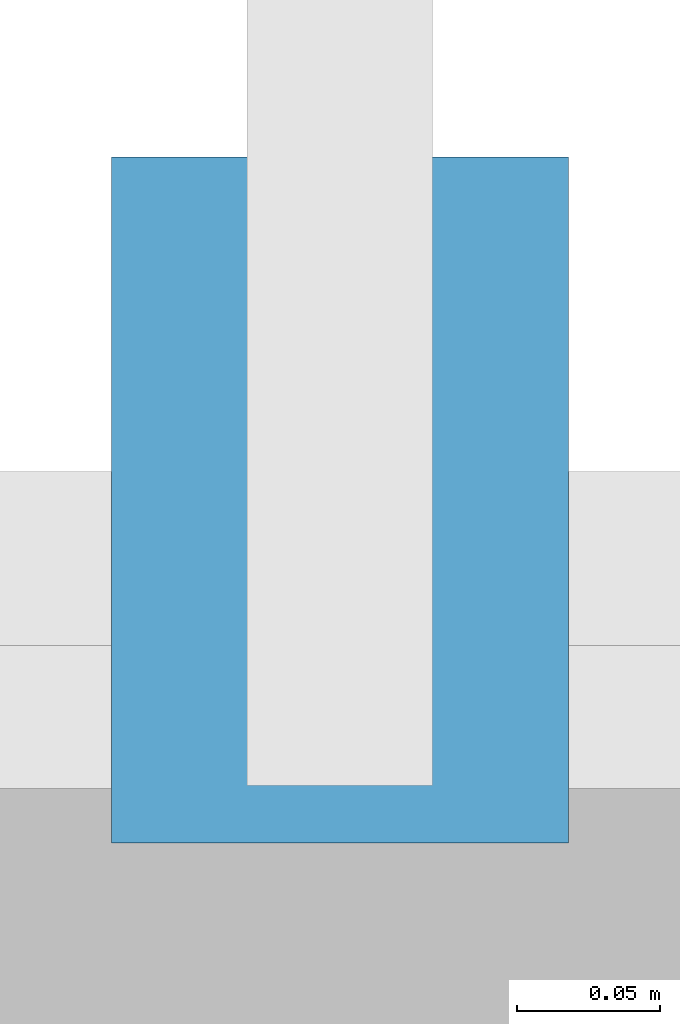
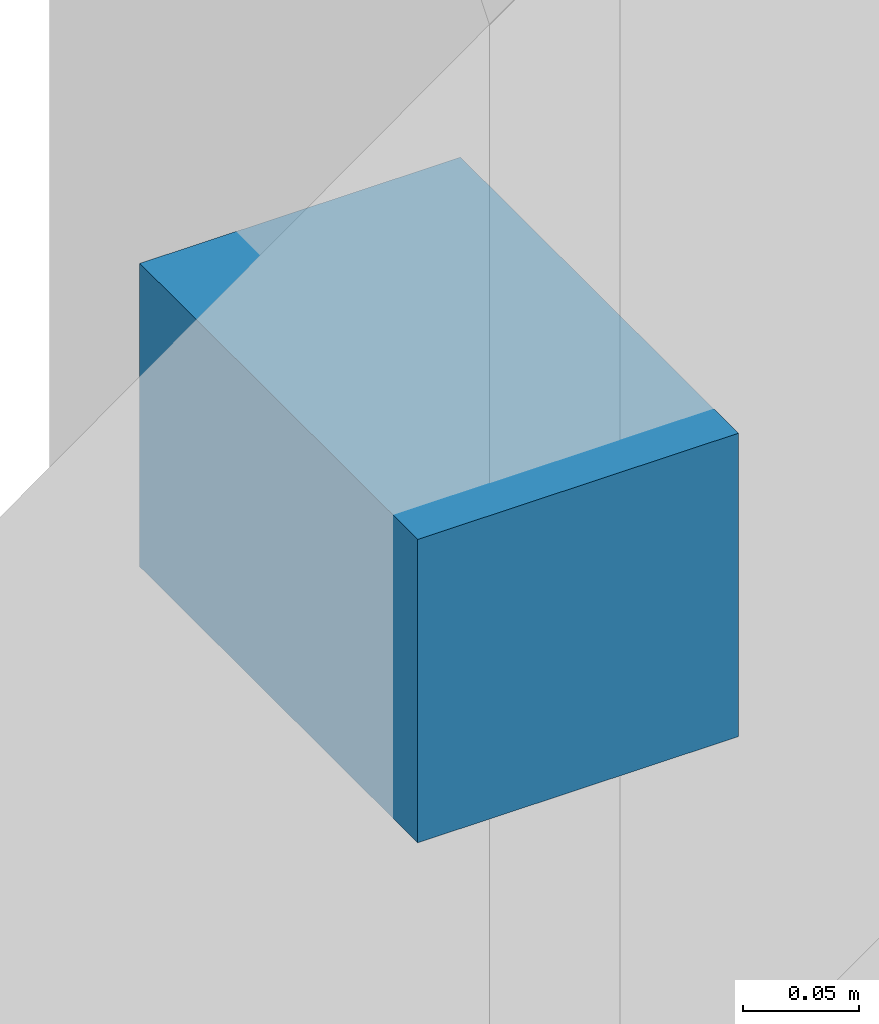
# One storey, part 54 of 68: 1 discrete accessory.
"""IFC4 building model written with IfcOpenShell, lengths in metres."""

from ifc_helpers import new_model, si_unit, direction, frame, origin, origin_2d, place, context, subcontext, project, spatial, rectangle, extrude, material, type_object, element, save


model = new_model("IFC4")

# Units and contexts
model_context = context("Model", 3, precision=1e-05, world=origin(), true_north=direction((0.0, 1.0)))
body_context = subcontext(model_context, "Body", "Model", "MODEL_VIEW")
ifc_project = project(units=[si_unit("LENGTHUNIT", "METRE"), si_unit("AREAUNIT", "SQUARE_METRE"), si_unit("VOLUMEUNIT", "CUBIC_METRE"), si_unit("PLANEANGLEUNIT", "RADIAN"), si_unit("MASSUNIT", "GRAM", prefix="KILO")], contexts=[model_context])

# Site, building, storey
site_placement = place(None, origin())
site = spatial("IfcSite", under=ifc_project, at=site_placement, CompositionType="ELEMENT")
building_placement = place(site_placement, origin())
building = spatial("IfcBuilding", under=site, at=building_placement, Name="Ciguamira Faculty of Natural Sciences", CompositionType="ELEMENT")
storey_placement = place(building_placement, frame((0.0, 0.0, 4.199951171875)))
storey = spatial("IfcBuildingStorey", under=building, at=storey_placement, Name="L01", CompositionType="ELEMENT", Elevation=4.199951171875)

# Discrete accessory
ifc_material = material(Name="Stainless steel fixing bracket", Category="steel")
discrete_accessory_type = type_object("IfcDiscreteAccessoryType", Name="FacadeBracket_BK01", PredefinedType="BRACKET", material=ifc_material)
discrete_accessory_placement = place(storey_placement, frame((25.949951171875, 24.239990234375, 1.39501953125), z_axis=(0.0, 0.0, 1.0), x_axis=(1.0, 0.0, 0.0)))
element("IfcDiscreteAccessory", 1, at=discrete_accessory_placement, inside=storey, type_object=discrete_accessory_type, Name="L01 sunshade fixing bracket 0010", PredefinedType="BRACKET", context=body_context, shape_type="SweptSolid", body=[
    extrude(rectangle(XDim=0.159912109375, YDim=0.239990234375, at=origin_2d()), origin(), (0.0, 0.0, 1.0), 0.159912109375),
])

save(model, "model.ifc")
